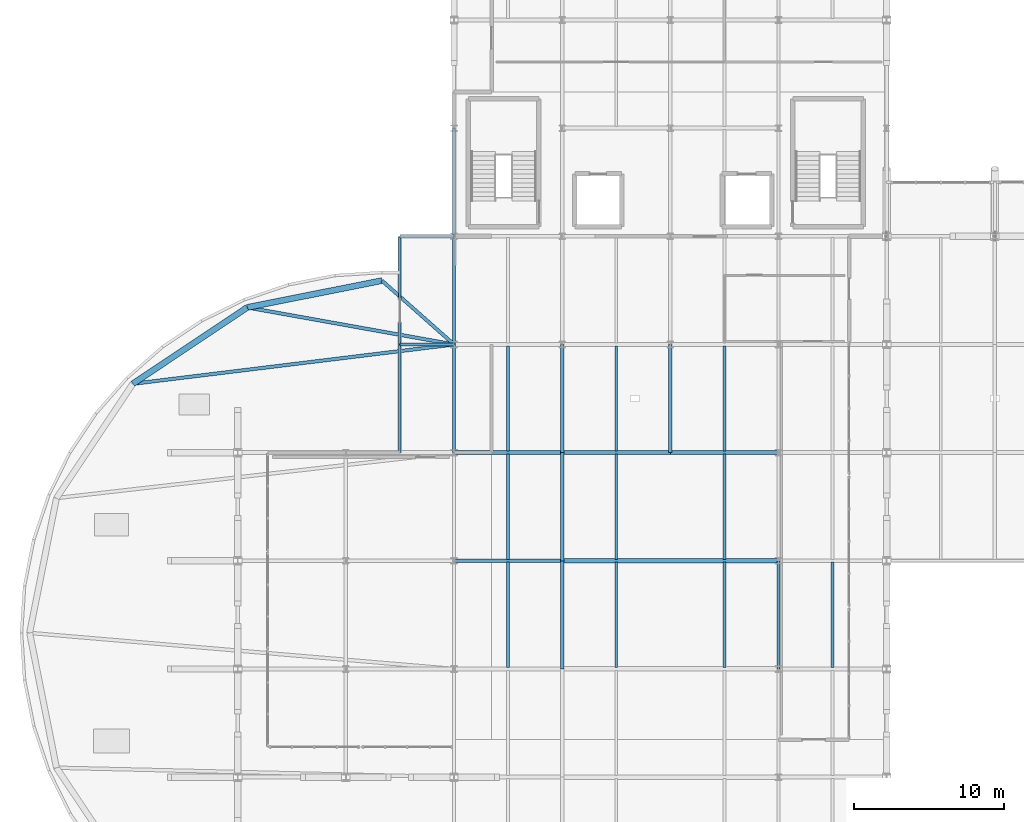
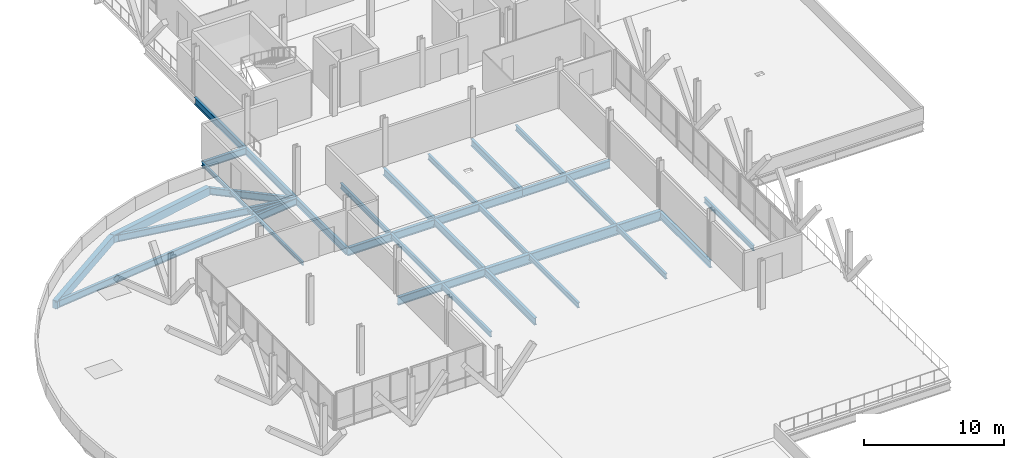
# One storey, part 18 of 102: 32 beams.
"""IFC4 building model written with IfcOpenShell, lengths in metres."""

from ifc_helpers import new_model, si_unit, direction, frame, origin, origin_2d, place, context, subcontext, project, spatial, rectangle, i_section, extrude, material, material_profile, profile_set, type_object, element, save


model = new_model("IFC4")

# Units and contexts
model_context = context("Model", 3, precision=1e-05, world=origin(), true_north=direction((0.0, 1.0)))
body_context = subcontext(model_context, "Body", "Model", "MODEL_VIEW")
ifc_project = project(units=[si_unit("LENGTHUNIT", "METRE"), si_unit("AREAUNIT", "SQUARE_METRE"), si_unit("VOLUMEUNIT", "CUBIC_METRE"), si_unit("PLANEANGLEUNIT", "RADIAN"), si_unit("MASSUNIT", "GRAM", prefix="KILO")], contexts=[model_context])

# Site, building, storey
site_placement = place(None, origin())
site = spatial("IfcSite", under=ifc_project, at=site_placement, CompositionType="ELEMENT")
building_placement = place(site_placement, origin())
building = spatial("IfcBuilding", under=site, at=building_placement, Name="Yarey Park Central Fire Station", CompositionType="ELEMENT")
storey_placement = place(building_placement, frame((0.0, 0.0, 6.0)))
storey = spatial("IfcBuildingStorey", under=building, at=storey_placement, Name="L02", CompositionType="ELEMENT", Elevation=6.0)

# Beams
ifc_material_1 = material(Name="Steel ASTM A992 Gr. 50", Category="steel")
ifc_material_profile_1 = material_profile(ifc_material_1, i_section(OverallWidth=0.22900390625, OverallDepth=0.612060546875, WebThickness=0.011962890625, FlangeThickness=0.01953125, at=origin_2d()), Name="W610x125")
ifc_profile_set_1 = profile_set([ifc_material_profile_1], Name="Steel ASTM A992 Gr. 50")
beam_type_1 = type_object("IfcBeamType", Name="STR_BM_W610", PredefinedType="BEAM", material=ifc_profile_set_1)
beam_1_placement = place(storey_placement, frame((28.800048828125, 43.199951171875, -0.591064453125), z_axis=(0.0, 1.0, 0.0), x_axis=(-1.0, 0.0, 0.0)))
element("IfcBeam", 1, at=beam_1_placement, inside=storey, type_object=beam_type_1, Name="BMY L02 X288 Y432", PredefinedType="BEAM", context=body_context, shape_type="SweptSolid", body=[
    extrude(i_section(OverallWidth=0.22900390625, OverallDepth=0.612060546875, WebThickness=0.011962890625, FlangeThickness=0.01953125, at=origin_2d()), origin(), (0.0, 0.0, 1.0), 7.199951171875),
])
beam_2_placement = place(storey_placement, frame((28.800048828125, 50.39990234375, -0.591064453125), z_axis=(0.0, 1.0, 0.0), x_axis=(-1.0, 0.0, 0.0)))
element("IfcBeam", 2, at=beam_2_placement, inside=storey, type_object=beam_type_1, Name="BMY L02 X288 Y504", PredefinedType="BEAM", context=body_context, shape_type="SweptSolid", body=[
    extrude(i_section(OverallWidth=0.22900390625, OverallDepth=0.612060546875, WebThickness=0.011962890625, FlangeThickness=0.01953125, at=origin_2d()), origin(), (0.0, 0.0, 1.0), 7.2001953125),
])
for number, where, z_axis, x_axis, name in (
    (3, (28.800048828125, 57.60009765625, -0.591064453125), (0.0, 1.0, 0.0), (-1.0, 0.0, 0.0), "BMY L02 X288 Y576"),
    (4, (36.0, 28.800048828125, -0.51611328125), (0.0, 1.0, 0.0), (-1.0, 0.0, 0.0), "BMY L02 X360 Y288"),
    (5, (36.0, 36.0, -0.51611328125), (0.0, 1.0, 0.0), (-1.0, 0.0, 0.0), "BMY L02 X360 Y360"),
    (6, (36.0, 43.199951171875, -0.51611328125), (0.0, 1.0, 0.0), (-1.0, 0.0, 0.0), "BMY L02 X360 Y432"),
    (7, (43.199951171875, 43.199951171875, -0.51611328125), (0.0, 1.0, 0.0), (-1.0, 0.0, 0.0), "BMY L02 X432 Y432"),
    (8, (50.39990234375, 28.800048828125, -0.591064453125), (0.0, 1.0, 0.0), (-1.0, 0.0, 0.0), "BMY L02 X504 Y288"),
):
    element("IfcBeam", number, at=place(storey_placement, frame(where, z_axis=z_axis, x_axis=x_axis)), inside=storey, type_object=beam_type_1, Name=name, PredefinedType="BEAM", context=body_context, shape_type="SweptSolid", body=[
        extrude(i_section(OverallWidth=0.22900390625, OverallDepth=0.612060546875, WebThickness=0.011962890625, FlangeThickness=0.01953125, at=origin_2d()), origin(), (0.0, 0.0, 1.0), 7.199951171875),
    ])
beam_3_placement = place(storey_placement, frame((24.0, 54.64990234375, -0.594970703125), z_axis=(0.74870211469, -0.66290658728, 0.0), x_axis=(0.66290658728, 0.74870211469, 0.0)))
element("IfcBeam", 9, at=beam_3_placement, inside=storey, type_object=beam_type_1, Name="BM_V1_RAD_01", PredefinedType="BEAM", context=body_context, shape_type="SweptSolid", body=[
    extrude(i_section(OverallWidth=0.22900390625, OverallDepth=0.612060546875, WebThickness=0.011962890625, FlangeThickness=0.01953125, at=origin_2d()), origin(), (0.0, 0.0, 1.0), 6.4111328125),
])
beam_4_placement = place(storey_placement, frame((15.02587890625, 52.864990234375, -0.594970703125), z_axis=(0.984360540006, -0.176165624567, 0.0), x_axis=(0.176165624567, 0.984360540006, 0.0)))
element("IfcBeam", 10, at=beam_4_placement, inside=storey, type_object=beam_type_1, Name="BM_V1_RAD_02", PredefinedType="BEAM", context=body_context, shape_type="SweptSolid", body=[
    extrude(i_section(OverallWidth=0.22900390625, OverallDepth=0.612060546875, WebThickness=0.011962890625, FlangeThickness=0.01953125, at=origin_2d()), origin(), (0.0, 0.0, 1.0), 13.992919921875),
])
beam_5_placement = place(storey_placement, frame((7.41796875, 47.781982421875, -0.594970703125), z_axis=(0.992588034896, 0.121527745723, 0.0), x_axis=(-0.121527745723, 0.992588034896, 0.0)))
element("IfcBeam", 11, at=beam_5_placement, inside=storey, type_object=beam_type_1, Name="BM_V1_RAD_03", PredefinedType="BEAM", context=body_context, shape_type="SweptSolid", body=[
    extrude(i_section(OverallWidth=0.22900390625, OverallDepth=0.612060546875, WebThickness=0.011962890625, FlangeThickness=0.01953125, at=origin_2d()), origin(), (0.0, 0.0, 1.0), 21.541748046875),
])
ifc_material_profile_2 = material_profile(ifc_material_1, i_section(OverallWidth=0.22900390625, OverallDepth=0.612060546875, WebThickness=0.011962890625, FlangeThickness=0.01953125, at=origin_2d()), Name="W610x125")
ifc_profile_set_2 = profile_set([ifc_material_profile_2], Name="Steel ASTM A992 Gr. 50")
beam_type_2 = type_object("IfcBeamType", Name="STR_BM_W610E", PredefinedType="BEAM", material=ifc_profile_set_2)
for number, where, z_axis, x_axis, name in (
    (12, (25.199951171875, 50.39990234375, -0.591064453125), (1.0, 0.0, 0.0), (0.0, 1.0, 0.0), "WCANT OUT L02 Y504"),
    (13, (25.199951171875, 57.60009765625, -0.591064453125), (1.0, 0.0, 0.0), (0.0, 1.0, 0.0), "WCANT OUT L02 Y576"),
):
    element("IfcBeam", number, at=place(storey_placement, frame(where, z_axis=z_axis, x_axis=x_axis)), inside=storey, type_object=beam_type_2, Name=name, PredefinedType="BEAM", context=body_context, shape_type="SweptSolid", body=[
        extrude(i_section(OverallWidth=0.22900390625, OverallDepth=0.612060546875, WebThickness=0.011962890625, FlangeThickness=0.01953125, at=origin_2d()), origin(), (0.0, 0.0, 1.0), 3.60009765625),
    ])
ifc_material_profile_3 = material_profile(ifc_material_1, i_section(OverallWidth=0.256103515625, OverallDepth=0.693115234375, WebThickness=0.014404296875, FlangeThickness=0.023681640625, at=origin_2d()), Name="W690x170")
ifc_profile_set_3 = profile_set([ifc_material_profile_3], Name="Steel ASTM A992 Gr. 50")
beam_type_3 = type_object("IfcBeamType", Name="STR_BM_W690", PredefinedType="BEAM", material=ifc_profile_set_3)
for number, where, z_axis, x_axis, name in (
    (14, (28.800048828125, 36.0, -0.556396484375), (1.0, 0.0, 0.0), (0.0, 1.0, 0.0), "BMX L02 Y360 X288"),
    (15, (28.800048828125, 43.199951171875, -0.631591796875), (1.0, 0.0, 0.0), (0.0, 1.0, 0.0), "BMX L02 Y432 X288"),
    (16, (36.0, 43.199951171875, -0.556396484375), (1.0, 0.0, 0.0), (0.0, 1.0, 0.0), "BMX L02 Y432 X360"),
    (17, (43.199951171875, 43.199951171875, -0.556396484375), (1.0, 0.0, 0.0), (0.0, 1.0, 0.0), "BMX L02 Y432 X432"),
):
    element("IfcBeam", number, at=place(storey_placement, frame(where, z_axis=z_axis, x_axis=x_axis)), inside=storey, type_object=beam_type_3, Name=name, PredefinedType="BEAM", context=body_context, shape_type="SweptSolid", body=[
        extrude(i_section(OverallWidth=0.256103515625, OverallDepth=0.693115234375, WebThickness=0.014404296875, FlangeThickness=0.023681640625, at=origin_2d()), origin(), (0.0, 0.0, 1.0), 7.199951171875),
    ])
ifc_material_profile_4 = material_profile(ifc_material_1, i_section(OverallWidth=0.2939453125, OverallDepth=0.85107421875, WebThickness=0.01611328125, FlangeThickness=0.02685546875, at=origin_2d()), Name="W840x226")
ifc_profile_set_4 = profile_set([ifc_material_profile_4], Name="Steel ASTM A992 Gr. 50")
beam_type_4 = type_object("IfcBeamType", Name="STR_BM_W840", PredefinedType="BEAM", material=ifc_profile_set_4)
beam_6_placement = place(storey_placement, frame((36.0, 36.0, -0.635498046875), z_axis=(1.0, 0.0, 0.0), x_axis=(0.0, 1.0, 0.0)))
element("IfcBeam", 18, at=beam_6_placement, inside=storey, type_object=beam_type_4, Name="BMX L02 Y360 X360", PredefinedType="BEAM", context=body_context, shape_type="SweptSolid", body=[
    extrude(i_section(OverallWidth=0.2939453125, OverallDepth=0.85107421875, WebThickness=0.01611328125, FlangeThickness=0.02685546875, at=origin_2d()), origin(), (0.0, 0.0, 1.0), 14.39990234375),
])
ifc_material_profile_5 = material_profile(ifc_material_1, i_section(OverallWidth=0.18994140625, OverallDepth=0.45703125, WebThickness=0.009033203125, FlangeThickness=0.014404296875, at=origin_2d()), Name="W460x74")
ifc_profile_set_5 = profile_set([ifc_material_profile_5], Name="Steel ASTM A992 Gr. 50")
beam_type_5 = type_object("IfcBeamType", Name="STR_JST_W460", PredefinedType="JOIST", material=ifc_profile_set_5)
for number, where, z_axis, x_axis, name in (
    (19, (32.39990234375, 28.89501953125, -0.4384765625), (0.0, 1.0, 0.0), (-1.0, 0.0, 0.0), "JST L02 X324 Y288"),
    (20, (32.39990234375, 36.094970703125, -0.4384765625), (0.0, 1.0, 0.0), (-1.0, 0.0, 0.0), "JST L02 X324 Y360"),
    (21, (32.39990234375, 43.294921875, -0.4384765625), (0.0, 1.0, 0.0), (-1.0, 0.0, 0.0), "JST L02 X324 Y432"),
    (22, (39.60009765625, 28.89501953125, -0.4384765625), (0.0, 1.0, 0.0), (-1.0, 0.0, 0.0), "JST L02 X396 Y288"),
    (23, (39.60009765625, 36.094970703125, -0.4384765625), (0.0, 1.0, 0.0), (-1.0, 0.0, 0.0), "JST L02 X396 Y360"),
    (24, (39.60009765625, 43.294921875, -0.4384765625), (0.0, 1.0, 0.0), (-1.0, 0.0, 0.0), "JST L02 X396 Y432"),
    (25, (46.800048828125, 28.89501953125, -0.4384765625), (0.0, 1.0, 0.0), (-1.0, 0.0, 0.0), "JST L02 X468 Y288"),
    (26, (46.800048828125, 36.094970703125, -0.4384765625), (0.0, 1.0, 0.0), (-1.0, 0.0, 0.0), "JST L02 X468 Y360"),
    (27, (46.800048828125, 43.294921875, -0.4384765625), (0.0, 1.0, 0.0), (-1.0, 0.0, 0.0), "JST L02 X468 Y432"),
    (28, (54.0, 28.89501953125, -0.513427734375), (0.0, 1.0, 0.0), (-1.0, 0.0, 0.0), "JST L02 X540 Y288"),
):
    element("IfcBeam", number, at=place(storey_placement, frame(where, z_axis=z_axis, x_axis=x_axis)), inside=storey, type_object=beam_type_5, Name=name, PredefinedType="JOIST", context=body_context, shape_type="SweptSolid", body=[
        extrude(i_section(OverallWidth=0.18994140625, OverallDepth=0.45703125, WebThickness=0.009033203125, FlangeThickness=0.014404296875, at=origin_2d()), origin(), (0.0, 0.0, 1.0), 7.010009765625),
    ])
ifc_material_2 = material(Name="Concrete C40/50", Category="concrete")
ifc_material_profile_6 = material_profile(ifc_material_2, rectangle(XDim=0.39990234375, YDim=0.699951171875, at=origin_2d()), Name="RC 400x700")
ifc_profile_set_6 = profile_set([ifc_material_profile_6], Name="Concrete C40/50")
beam_type_6 = type_object("IfcBeamType", Name="STR_SPN_RC700", PredefinedType="SPANDREL", material=ifc_profile_set_6)
beam_7_placement = place(storey_placement, frame((24.0, 54.64990234375, -0.56005859375), z_axis=(-0.980788449731, -0.195074388051, 0.0), x_axis=(0.195074388051, -0.980788449731, 0.0)))
element("IfcBeam", 29, at=beam_7_placement, inside=storey, type_object=beam_type_6, Name="SPN_V1_ARC_01", PredefinedType="SPANDREL", context=body_context, shape_type="SweptSolid", body=[
    extrude(rectangle(XDim=0.39990234375, YDim=0.699951171875, at=origin_2d()), origin(), (0.0, 0.0, 1.0), 9.14990234375),
])
beam_8_placement = place(storey_placement, frame((15.02587890625, 52.864990234375, -0.56005859375), z_axis=(-0.831491585179, -0.555537346878, 0.0), x_axis=(0.555537346878, -0.831491585179, 0.0)))
element("IfcBeam", 30, at=beam_8_placement, inside=storey, type_object=beam_type_6, Name="SPN_V1_ARC_02", PredefinedType="SPANDREL", context=body_context, shape_type="SweptSolid", body=[
    extrude(rectangle(XDim=0.39990234375, YDim=0.699951171875, at=origin_2d()), origin(), (0.0, 0.0, 1.0), 9.149658203125),
])
ifc_material_profile_7 = material_profile(ifc_material_1, i_section(OverallWidth=0.1650390625, OverallDepth=0.31005859375, WebThickness=0.005859375, FlangeThickness=0.009765625, at=origin_2d()), Name="W310x39")
ifc_profile_set_7 = profile_set([ifc_material_profile_7], Name="Steel ASTM A992 Gr. 50")
beam_type_7 = type_object("IfcBeamType", Name="STR_SPN_W310", PredefinedType="SPANDREL", material=ifc_profile_set_7)
beam_9_placement = place(storey_placement, frame((25.199951171875, 43.199951171875, -0.43994140625), z_axis=(0.0, 1.0, 0.0), x_axis=(-1.0, 0.0, 0.0)))
element("IfcBeam", 31, at=beam_9_placement, inside=storey, type_object=beam_type_7, Name="WCANT EDG L02 Y432", PredefinedType="SPANDREL", context=body_context, shape_type="SweptSolid", body=[
    extrude(i_section(OverallWidth=0.1650390625, OverallDepth=0.31005859375, WebThickness=0.005859375, FlangeThickness=0.009765625, at=origin_2d()), origin(), (0.0, 0.0, 1.0), 7.199951171875),
])
beam_10_placement = place(storey_placement, frame((25.199951171875, 50.39990234375, -0.43994140625), z_axis=(0.0, 1.0, 0.0), x_axis=(-1.0, 0.0, 0.0)))
element("IfcBeam", 32, at=beam_10_placement, inside=storey, type_object=beam_type_7, Name="WCANT EDG L02 Y504", PredefinedType="SPANDREL", context=body_context, shape_type="SweptSolid", body=[
    extrude(i_section(OverallWidth=0.1650390625, OverallDepth=0.31005859375, WebThickness=0.005859375, FlangeThickness=0.009765625, at=origin_2d()), origin(), (0.0, 0.0, 1.0), 7.2001953125),
])

save(model, "model.ifc")
